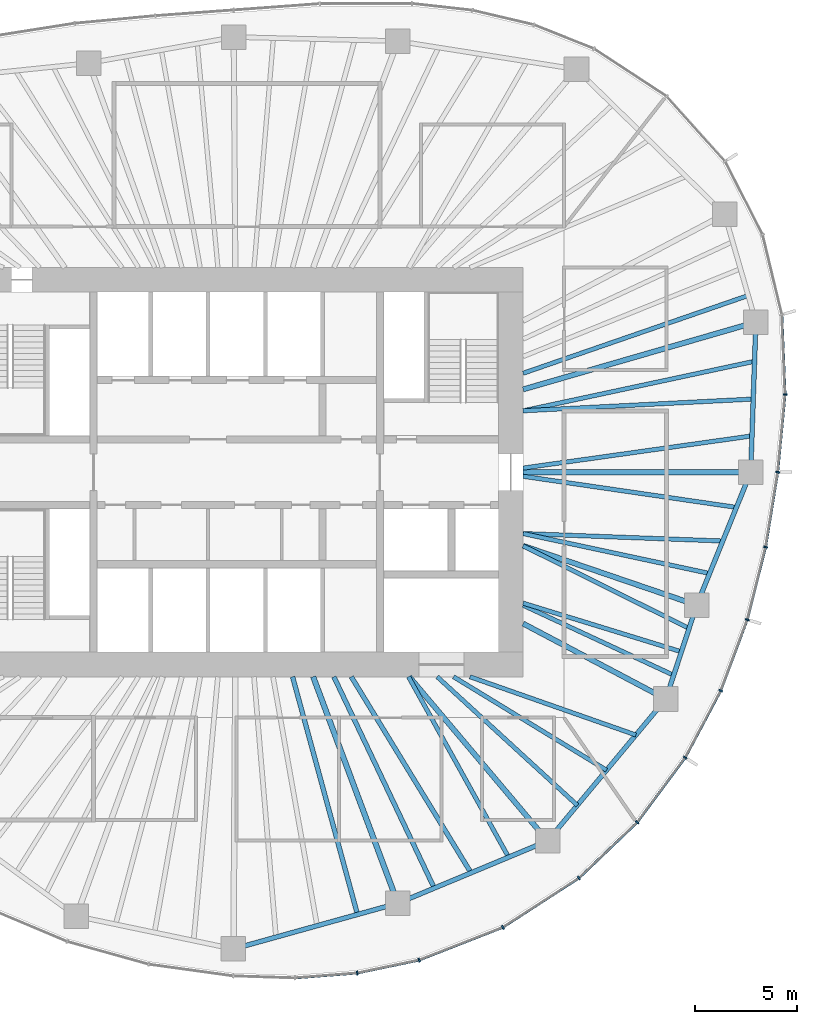
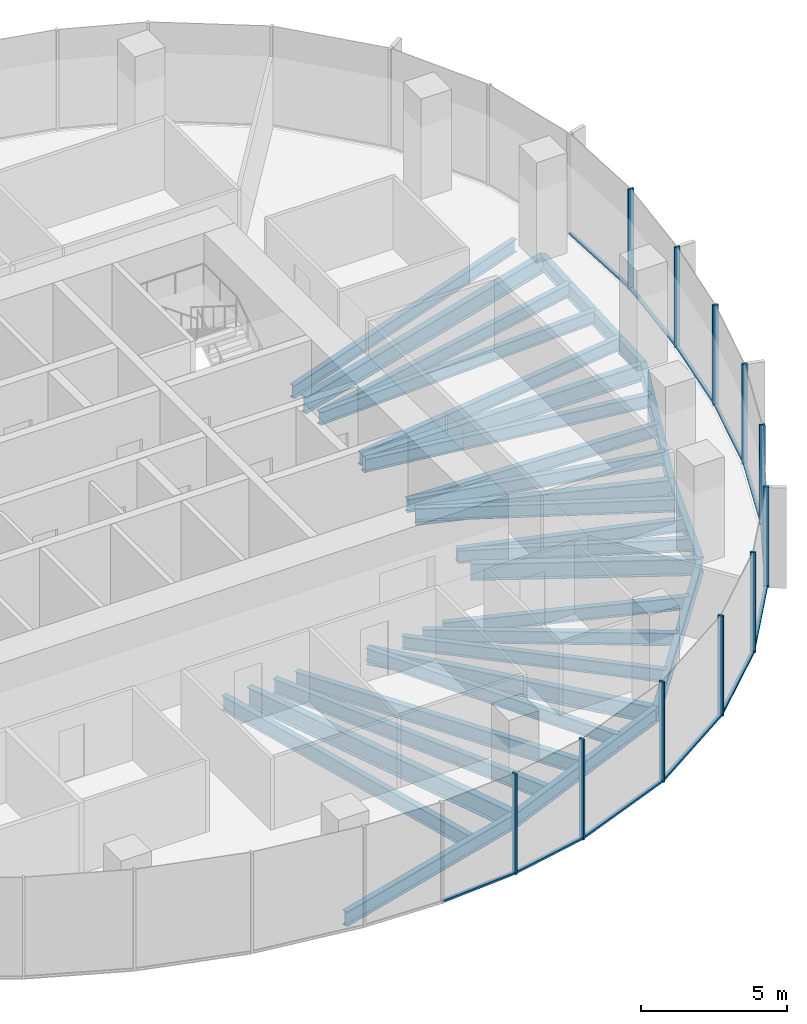
# One storey, part 4 of 11: 29 beams, 23 members, 6 elements without a shape of their own.
"""IFC4 building model written with IfcOpenShell, lengths in metres."""

from ifc_helpers import new_model, si_unit, direction, frame, origin, origin_2d, place, context, subcontext, project, spatial, rectangle, i_section, extrude, material, material_profile, profile_set, type_object, element, aggregate, save


model = new_model("IFC4")

# Units and contexts
model_context = context("Model", 3, precision=1e-05, world=origin(), true_north=direction((0.0, 1.0)))
body_context = subcontext(model_context, "Body", "Model", "MODEL_VIEW")
ifc_project = project(units=[si_unit("LENGTHUNIT", "METRE"), si_unit("AREAUNIT", "SQUARE_METRE"), si_unit("VOLUMEUNIT", "CUBIC_METRE"), si_unit("PLANEANGLEUNIT", "RADIAN"), si_unit("MASSUNIT", "GRAM", prefix="KILO")], contexts=[model_context])

# Site, building, storey
site_placement = place(None, origin())
site = spatial("IfcSite", under=ifc_project, at=site_placement, CompositionType="ELEMENT")
building_placement = place(site_placement, origin())
building = spatial("IfcBuilding", under=site, at=building_placement, Name="Ghaith Harvest Tower", CompositionType="ELEMENT")
storey_placement = place(building_placement, frame((0.0, 0.0, 257.800048828125)))
storey = spatial("IfcBuildingStorey", under=building, at=storey_placement, Name="L57", CompositionType="ELEMENT", Elevation=257.800048828125)

# Curtain wall, members
ifc_material_1 = material(Name="Black anodised aluminium and fritted glass", Category="aluminium")
curtain_wall_type = type_object("IfcCurtainWallType", Name="CW-H CURTAIN WALL", PredefinedType="NOTDEFINED", material=ifc_material_1)
curtain_wall_1_placement = place(storey_placement, origin())
curtain_wall_1 = element("IfcCurtainWall", 1, at=curtain_wall_1_placement, inside=storey, type_object=curtain_wall_type, Name="Curtain wall CW-H bay 01 L57", PredefinedType="NOTDEFINED")
ifc_material_2 = material(Name="Aluminium, black anodised", Category="aluminium")
ifc_material_profile_1 = material_profile(ifc_material_2, rectangle(XDim=0.080078125, YDim=0.199951171875, at=origin_2d()), Name="CW-H MULLION 80x200")
ifc_profile_set_1 = profile_set([ifc_material_profile_1], Name="Aluminium, black anodised")
member_type_1 = type_object("IfcMemberType", Name="CW-H MULLION 80x200", PredefinedType="MULLION", material=ifc_profile_set_1)
member_1_placement = place(storey_placement, frame((26.445068359375, 0.0, 0.0), z_axis=(0.0, 0.0, 1.0), x_axis=(0.126567624553, 0.991957981174, 0.0)))
member_1 = element("IfcMember", 2, at=member_1_placement, type_object=member_type_1, Name="CW-H mullion 1 bay 01 L57", PredefinedType="MULLION", context=body_context, shape_type="SweptSolid", body=[
    extrude(rectangle(XDim=0.080078125, YDim=0.199951171875, at=origin_2d()), origin(), (0.0, 0.0, 1.0), 4.199951171875),
])
member_2_placement = place(storey_placement, frame((26.804443359375, 3.7958984375, 0.0), z_axis=(0.0, 0.0, 1.0), x_axis=(0.026142797814, 0.999658218654, 0.0)))
member_2 = element("IfcMember", 3, at=member_2_placement, type_object=member_type_1, Name="CW-H mullion 2 bay 01 L57", PredefinedType="MULLION", context=body_context, shape_type="SweptSolid", body=[
    extrude(rectangle(XDim=0.080078125, YDim=0.199951171875, at=origin_2d()), origin(), (0.0, 0.0, 1.0), 4.199951171875),
])

# Curtain wall, member
curtain_wall_2_placement = place(storey_placement, origin())
curtain_wall_2 = element("IfcCurtainWall", 4, at=curtain_wall_2_placement, inside=storey, type_object=curtain_wall_type, Name="Curtain wall CW-H bay 16 L57", PredefinedType="NOTDEFINED")
member_3_placement = place(storey_placement, frame((5.893310546875, -24.48291015625, 0.0), z_axis=(0.0, 0.0, 1.0), x_axis=(0.989849191496, 0.142121701704, 0.0)))
member_3 = element("IfcMember", 5, at=member_3_placement, type_object=member_type_1, Name="CW-H mullion 3 bay 16 L57", PredefinedType="MULLION", context=body_context, shape_type="SweptSolid", body=[
    extrude(rectangle(XDim=0.080078125, YDim=0.199951171875, at=origin_2d()), origin(), (0.0, 0.0, 1.0), 4.199951171875),
])

# Curtain wall, members
curtain_wall_3_placement = place(storey_placement, origin())
curtain_wall_3 = element("IfcCurtainWall", 6, at=curtain_wall_3_placement, inside=storey, type_object=curtain_wall_type, Name="Curtain wall CW-H bay 17 L57", PredefinedType="NOTDEFINED")
member_4_placement = place(storey_placement, frame((8.916015625, -23.85009765625, 0.0), z_axis=(0.0, 0.0, 1.0), x_axis=(0.954029934434, 0.299711334793, 0.0)))
member_4 = element("IfcMember", 7, at=member_4_placement, type_object=member_type_1, Name="CW-H mullion 1 bay 17 L57", PredefinedType="MULLION", context=body_context, shape_type="SweptSolid", body=[
    extrude(rectangle(XDim=0.080078125, YDim=0.199951171875, at=origin_2d()), origin(), (0.0, 0.0, 1.0), 4.199951171875),
])
member_5_placement = place(storey_placement, frame((13.010009765625, -22.2470703125, 0.0), z_axis=(0.0, 0.0, 1.0), x_axis=(0.889568363425, 0.456802065225, 0.0)))
member_5 = element("IfcMember", 8, at=member_5_placement, type_object=member_type_1, Name="CW-H mullion 2 bay 17 L57", PredefinedType="MULLION", context=body_context, shape_type="SweptSolid", body=[
    extrude(rectangle(XDim=0.080078125, YDim=0.199951171875, at=origin_2d()), origin(), (0.0, 0.0, 1.0), 4.199951171875),
])

curtain_wall_4_placement = place(storey_placement, origin())
curtain_wall_4 = element("IfcCurtainWall", 9, at=curtain_wall_4_placement, inside=storey, type_object=curtain_wall_type, Name="Curtain wall CW-H bay 18 L57", PredefinedType="NOTDEFINED")
member_6_placement = place(storey_placement, frame((16.72900390625, -19.838134765625, 0.0), z_axis=(0.0, 0.0, 1.0), x_axis=(0.78784554071, 0.615872879727, 0.0)))
member_6 = element("IfcMember", 10, at=member_6_placement, type_object=member_type_1, Name="CW-H mullion 1 bay 18 L57", PredefinedType="MULLION", context=body_context, shape_type="SweptSolid", body=[
    extrude(rectangle(XDim=0.080078125, YDim=0.199951171875, at=origin_2d()), origin(), (0.0, 0.0, 1.0), 4.199951171875),
])
member_7_placement = place(storey_placement, frame((19.57421875, -17.11572265625, 0.0), z_axis=(0.0, 0.0, 1.0), x_axis=(0.661614965695, 0.749843741835, 0.0)))
member_7 = element("IfcMember", 11, at=member_7_placement, type_object=member_type_1, Name="CW-H mullion 2 bay 18 L57", PredefinedType="MULLION", context=body_context, shape_type="SweptSolid", body=[
    extrude(rectangle(XDim=0.080078125, YDim=0.199951171875, at=origin_2d()), origin(), (0.0, 0.0, 1.0), 4.199951171875),
])

curtain_wall_5_placement = place(storey_placement, origin())
curtain_wall_5 = element("IfcCurtainWall", 12, at=curtain_wall_5_placement, inside=storey, type_object=curtain_wall_type, Name="Curtain wall CW-H bay 19 L57", PredefinedType="NOTDEFINED")
member_8_placement = place(storey_placement, frame((21.922607421875, -13.951904296875, 0.0), z_axis=(0.0, 0.0, 1.0), x_axis=(0.535827198032, 0.844327669717, 0.0)))
member_8 = element("IfcMember", 13, at=member_8_placement, type_object=member_type_1, Name="CW-H mullion 1 bay 19 L57", PredefinedType="MULLION", context=body_context, shape_type="SweptSolid", body=[
    extrude(rectangle(XDim=0.080078125, YDim=0.199951171875, at=origin_2d()), origin(), (0.0, 0.0, 1.0), 4.199951171875),
])
member_9_placement = place(storey_placement, frame((23.658203125, -10.680419921875, 0.0), z_axis=(0.0, 0.0, 1.0), x_axis=(0.410429862351, 0.911892169114, 0.0)))
member_9 = element("IfcMember", 14, at=member_9_placement, type_object=member_type_1, Name="CW-H mullion 2 bay 19 L57", PredefinedType="MULLION", context=body_context, shape_type="SweptSolid", body=[
    extrude(rectangle(XDim=0.080078125, YDim=0.199951171875, at=origin_2d()), origin(), (0.0, 0.0, 1.0), 4.199951171875),
])

curtain_wall_6_placement = place(storey_placement, origin())
curtain_wall_6 = element("IfcCurtainWall", 15, at=curtain_wall_6_placement, inside=storey, type_object=curtain_wall_type, Name="Curtain wall CW-H bay 20 L57", PredefinedType="NOTDEFINED")
member_10_placement = place(storey_placement, frame((24.955810546875, -7.212890625, 0.0), z_axis=(0.0, 0.0, 1.0), x_axis=(0.298441625478, 0.954427889462, 0.0)))
member_10 = element("IfcMember", 16, at=member_10_placement, type_object=member_type_1, Name="CW-H mullion 1 bay 20 L57", PredefinedType="MULLION", context=body_context, shape_type="SweptSolid", body=[
    extrude(rectangle(XDim=0.080078125, YDim=0.199951171875, at=origin_2d()), origin(), (0.0, 0.0, 1.0), 4.199951171875),
])
member_11_placement = place(storey_placement, frame((25.85302734375, -3.6611328125, 0.0), z_axis=(0.0, 0.0, 1.0), x_axis=(0.202192370647, 0.979345825157, 0.0)))
member_11 = element("IfcMember", 17, at=member_11_placement, type_object=member_type_1, Name="CW-H mullion 2 bay 20 L57", PredefinedType="MULLION", context=body_context, shape_type="SweptSolid", body=[
    extrude(rectangle(XDim=0.080078125, YDim=0.199951171875, at=origin_2d()), origin(), (0.0, 0.0, 1.0), 4.199951171875),
])

# Member
ifc_material_3 = material(Name="Aluminium, black anodised", Category="aluminium")
ifc_material_profile_2 = material_profile(ifc_material_3, rectangle(XDim=0.1298828125, YDim=0.080078125, at=origin_2d()), Name="CW-H TRANSOM 130x80")
ifc_profile_set_2 = profile_set([ifc_material_profile_2], Name="Aluminium, black anodised")
member_type_2 = type_object("IfcMemberType", Name="CW-H TRANSOM 130x80", PredefinedType="USERDEFINED", material=ifc_profile_set_2)
member_12_placement = place(storey_placement, frame((26.44873046875, 0.039794921875, 0.0400390625), z_axis=(0.094309089207, 0.995542965267, 0.0), x_axis=(-0.995542965267, 0.094309089207, 0.0)))
member_12 = element("IfcMember", 18, at=member_12_placement, type_object=member_type_2, Name="CW-H transom 1 bay 01 L57", ObjectType="TRANSOM", PredefinedType="USERDEFINED", context=body_context, shape_type="SweptSolid", body=[
    extrude(rectangle(XDim=0.1298828125, YDim=0.080078125, at=origin_2d()), origin(), (0.0, 0.0, 1.0), 3.73291015625),
])

member_13_placement = place(storey_placement, frame((26.802978515625, 3.8359375, 0.0400390625), z_axis=(-0.040492641284, 0.999179836667, 0.0), x_axis=(-0.999179836667, -0.040492641284, 0.0)))
member_13 = element("IfcMember", 19, at=member_13_placement, type_object=member_type_2, Name="CW-H transom 2 bay 01 L57", ObjectType="TRANSOM", PredefinedType="USERDEFINED", context=body_context, shape_type="SweptSolid", body=[
    extrude(rectangle(XDim=0.1298828125, YDim=0.080078125, at=origin_2d()), origin(), (0.0, 0.0, 1.0), 3.82861328125),
])

aggregate(curtain_wall_1, [member_1, member_12, member_2, member_13])

member_14_placement = place(storey_placement, frame((2.8876953125, -24.71826171875, 0.0400390625), z_axis=(0.996949781933, 0.078045706505, 0.0), x_axis=(-0.078045706505, 0.996949781933, 0.0)))
member_14 = element("IfcMember", 20, at=member_14_placement, type_object=member_type_2, Name="CW-H transom 2 bay 16 L57", ObjectType="TRANSOM", PredefinedType="USERDEFINED", context=body_context, shape_type="SweptSolid", body=[
    extrude(rectangle(XDim=0.1298828125, YDim=0.080078125, at=origin_2d()), origin(), (0.0, 0.0, 1.0), 2.974853515625),
])

member_15_placement = place(storey_placement, frame((5.932373046875, -24.474609375, 0.0400390625), z_axis=(0.978797058213, 0.204832416461, 0.0), x_axis=(-0.204832416461, 0.978797058213, 0.0)))
member_15 = element("IfcMember", 21, at=member_15_placement, type_object=member_type_2, Name="CW-H transom 3 bay 16 L57", ObjectType="TRANSOM", PredefinedType="USERDEFINED", context=body_context, shape_type="SweptSolid", body=[
    extrude(rectangle(XDim=0.1298828125, YDim=0.080078125, at=origin_2d()), origin(), (0.0, 0.0, 1.0), 3.00830078125),
])

aggregate(curtain_wall_2, [member_14, member_3, member_15])

member_16_placement = place(storey_placement, frame((8.953369140625, -23.835693359375, 0.0400390625), z_axis=(0.931147615871, 0.364642451529, 0.0), x_axis=(-0.364642451529, 0.931147615871, 0.0)))
member_16 = element("IfcMember", 22, at=member_16_placement, type_object=member_type_2, Name="CW-H transom 1 bay 17 L57", ObjectType="TRANSOM", PredefinedType="USERDEFINED", context=body_context, shape_type="SweptSolid", body=[
    extrude(rectangle(XDim=0.1298828125, YDim=0.080078125, at=origin_2d()), origin(), (0.0, 0.0, 1.0), 4.31640625),
])

member_17_placement = place(storey_placement, frame((13.04345703125, -22.225341796875, 0.0400390625), z_axis=(0.839306610985, 0.543658360331, 0.0), x_axis=(-0.543658360331, 0.839306610985, 0.0)))
member_17 = element("IfcMember", 23, at=member_17_placement, type_object=member_type_2, Name="CW-H transom 2 bay 17 L57", ObjectType="TRANSOM", PredefinedType="USERDEFINED", context=body_context, shape_type="SweptSolid", body=[
    extrude(rectangle(XDim=0.1298828125, YDim=0.080078125, at=origin_2d()), origin(), (0.0, 0.0, 1.0), 4.35107421875),
])

aggregate(curtain_wall_3, [member_4, member_16, member_5, member_17])

member_18_placement = place(storey_placement, frame((16.7578125, -19.810546875, 0.0400390625), z_axis=(0.722533278657, 0.691336141998, 0.0), x_axis=(-0.691336141998, 0.722533278657, 0.0)))
member_18 = element("IfcMember", 24, at=member_18_placement, type_object=member_type_2, Name="CW-H transom 1 bay 18 L57", ObjectType="TRANSOM", PredefinedType="USERDEFINED", context=body_context, shape_type="SweptSolid", body=[
    extrude(rectangle(XDim=0.1298828125, YDim=0.080078125, at=origin_2d()), origin(), (0.0, 0.0, 1.0), 3.858154296875),
])

member_19_placement = place(storey_placement, frame((19.59814453125, -17.083740234375, 0.0400390625), z_axis=(0.595995597074, 0.802987701194, 0.0), x_axis=(-0.802987701194, 0.595995597074, 0.0)))
member_19 = element("IfcMember", 25, at=member_19_placement, type_object=member_type_2, Name="CW-H transom 2 bay 18 L57", ObjectType="TRANSOM", PredefinedType="USERDEFINED", context=body_context, shape_type="SweptSolid", body=[
    extrude(rectangle(XDim=0.1298828125, YDim=0.080078125, at=origin_2d()), origin(), (0.0, 0.0, 1.0), 3.8603515625),
])

aggregate(curtain_wall_4, [member_6, member_18, member_7, member_19])

member_20_placement = place(storey_placement, frame((21.94140625, -13.91650390625, 0.0400390625), z_axis=(0.468646057757, 0.883386026915, 0.0), x_axis=(-0.883386026915, 0.468646057757, 0.0)))
member_20 = element("IfcMember", 26, at=member_20_placement, type_object=member_type_2, Name="CW-H transom 1 bay 19 L57", ObjectType="TRANSOM", PredefinedType="USERDEFINED", context=body_context, shape_type="SweptSolid", body=[
    extrude(rectangle(XDim=0.1298828125, YDim=0.080078125, at=origin_2d()), origin(), (0.0, 0.0, 1.0), 3.623291015625),
])

member_21_placement = place(storey_placement, frame((23.672119140625, -10.64306640625, 0.0400390625), z_axis=(0.350510368091, 0.936558851253, 0.0), x_axis=(-0.936558851253, 0.350510368091, 0.0)))
member_21 = element("IfcMember", 27, at=member_21_placement, type_object=member_type_2, Name="CW-H transom 2 bay 19 L57", ObjectType="TRANSOM", PredefinedType="USERDEFINED", context=body_context, shape_type="SweptSolid", body=[
    extrude(rectangle(XDim=0.1298828125, YDim=0.080078125, at=origin_2d()), origin(), (0.0, 0.0, 1.0), 3.62255859375),
])

aggregate(curtain_wall_5, [member_8, member_20, member_9, member_21])

member_22_placement = place(storey_placement, frame((24.965576171875, -7.174072265625, 0.0400390625), z_axis=(0.244939588347, 0.969538342749, 0.0), x_axis=(-0.969538342749, 0.244939588347, 0.0)))
member_22 = element("IfcMember", 28, at=member_22_placement, type_object=member_type_2, Name="CW-H transom 1 bay 20 L57", ObjectType="TRANSOM", PredefinedType="USERDEFINED", context=body_context, shape_type="SweptSolid", body=[
    extrude(rectangle(XDim=0.1298828125, YDim=0.080078125, at=origin_2d()), origin(), (0.0, 0.0, 1.0), 3.583251953125),
])

member_23_placement = place(storey_placement, frame((25.859375, -3.62158203125, 0.0400390625), z_axis=(0.159661845696, 0.987171765717, 0.0), x_axis=(-0.987171765717, 0.159661845696, 0.0)))
member_23 = element("IfcMember", 29, at=member_23_placement, type_object=member_type_2, Name="CW-H transom 2 bay 20 L57", ObjectType="TRANSOM", PredefinedType="USERDEFINED", context=body_context, shape_type="SweptSolid", body=[
    extrude(rectangle(XDim=0.1298828125, YDim=0.080078125, at=origin_2d()), origin(), (0.0, 0.0, 1.0), 3.628662109375),
])

aggregate(curtain_wall_6, [member_10, member_22, member_11, member_23])

# Beams
ifc_material_4 = material(Name="Steel ASTM A992 Grade 50", Category="steel")
ifc_material_profile_3 = material_profile(ifc_material_4, i_section(OverallWidth=0.22900390625, OverallDepth=0.612060546875, WebThickness=0.011962890625, FlangeThickness=0.01953125, at=origin_2d()), Name="W610X125")
ifc_profile_set_3 = profile_set([ifc_material_profile_3], Name="Steel ASTM A992 Grade 50")
beam_type_1 = type_object("IfcBeamType", Name="E610-125 W610X125", PredefinedType="SPANDREL", material=ifc_profile_set_3)
beam_1_placement = place(storey_placement, frame((25.125, 0.0, -0.47607421875), z_axis=(0.03446227584, 0.999405999354, 0.0), x_axis=(-0.999405999354, 0.03446227584, 0.0)))
element("IfcBeam", 30, at=beam_1_placement, inside=storey, type_object=beam_type_1, Name="Edge beam E01 L57", PredefinedType="SPANDREL", context=body_context, shape_type="SweptSolid", body=[
    extrude(i_section(OverallWidth=0.22900390625, OverallDepth=0.612060546875, WebThickness=0.011962890625, FlangeThickness=0.01953125, at=origin_2d()), origin(), (0.0, 0.0, 1.0), 7.33935546875),
])
beam_2_placement = place(storey_placement, frame((-0.158935546875, -23.304931640625, -0.47607421875), z_axis=(0.963504070594, 0.267693679323, 0.0), x_axis=(-0.267693679323, 0.963504070594, 0.0)))
element("IfcBeam", 31, at=beam_2_placement, inside=storey, type_object=beam_type_1, Name="Edge beam E16 L57", PredefinedType="SPANDREL", context=body_context, shape_type="SweptSolid", body=[
    extrude(i_section(OverallWidth=0.22900390625, OverallDepth=0.612060546875, WebThickness=0.011962890625, FlangeThickness=0.01953125, at=origin_2d()), origin(), (0.0, 0.0, 1.0), 8.34130859375),
])
beam_3_placement = place(storey_placement, frame((7.8779296875, -21.072021484375, -0.47607421875), z_axis=(0.923119729219, 0.384512633766, 0.0), x_axis=(-0.384512633766, 0.923119729219, 0.0)))
element("IfcBeam", 32, at=beam_3_placement, inside=storey, type_object=beam_type_1, Name="Edge beam E17 L57", PredefinedType="SPANDREL", context=body_context, shape_type="SweptSolid", body=[
    extrude(i_section(OverallWidth=0.22900390625, OverallDepth=0.612060546875, WebThickness=0.011962890625, FlangeThickness=0.01953125, at=origin_2d()), origin(), (0.0, 0.0, 1.0), 7.9296875),
])
beam_4_placement = place(storey_placement, frame((15.197998046875, -18.02294921875, -0.47607421875), z_axis=(0.640173759088, 0.76823014662, 0.0), x_axis=(-0.76823014662, 0.640173759088, 0.0)))
element("IfcBeam", 33, at=beam_4_placement, inside=storey, type_object=beam_type_1, Name="Edge beam E18 L57", PredefinedType="SPANDREL", context=body_context, shape_type="SweptSolid", body=[
    extrude(i_section(OverallWidth=0.22900390625, OverallDepth=0.612060546875, WebThickness=0.011962890625, FlangeThickness=0.01953125, at=origin_2d()), origin(), (0.0, 0.0, 1.0), 9.02734375),
])
beam_5_placement = place(storey_placement, frame((20.97705078125, -11.087890625, -0.47607421875), z_axis=(0.312206727278, 0.950014189074, 0.0), x_axis=(-0.950014189074, 0.312206727278, 0.0)))
element("IfcBeam", 34, at=beam_5_placement, inside=storey, type_object=beam_type_1, Name="Edge beam E19 L57", PredefinedType="SPANDREL", context=body_context, shape_type="SweptSolid", body=[
    extrude(i_section(OverallWidth=0.22900390625, OverallDepth=0.612060546875, WebThickness=0.011962890625, FlangeThickness=0.01953125, at=origin_2d()), origin(), (0.0, 0.0, 1.0), 4.830322265625),
])
beam_6_placement = place(storey_placement, frame((22.485107421875, -6.4990234375, -0.47607421875), z_axis=(0.376335970246, 0.926483263475, 0.0), x_axis=(-0.926483263475, 0.376335970246, 0.0)))
element("IfcBeam", 35, at=beam_6_placement, inside=storey, type_object=beam_type_1, Name="Edge beam E20 L57", PredefinedType="SPANDREL", context=body_context, shape_type="SweptSolid", body=[
    extrude(i_section(OverallWidth=0.22900390625, OverallDepth=0.612060546875, WebThickness=0.011962890625, FlangeThickness=0.01953125, at=origin_2d()), origin(), (0.0, 0.0, 1.0), 7.0146484375),
])
ifc_material_5 = material(Name="Steel ASTM A992 Grade 50", Category="steel")
ifc_material_profile_4 = material_profile(ifc_material_5, i_section(OverallWidth=0.256103515625, OverallDepth=0.693115234375, WebThickness=0.014404296875, FlangeThickness=0.023681640625, at=origin_2d()), Name="W690X170")
ifc_profile_set_4 = profile_set([ifc_material_profile_4], Name="Steel ASTM A992 Grade 50")
beam_type_2 = type_object("IfcBeamType", Name="G690-170 W690X170", PredefinedType="BEAM", material=ifc_profile_set_4)
beam_7_placement = place(storey_placement, frame((14.0, 0.0, -0.5166015625), z_axis=(1.0, 0.0, 0.0), x_axis=(0.0, 1.0, 0.0)))
element("IfcBeam", 36, at=beam_7_placement, inside=storey, type_object=beam_type_2, Name="Radial girder G01 L57", PredefinedType="BEAM", context=body_context, shape_type="SweptSolid", body=[
    extrude(i_section(OverallWidth=0.256103515625, OverallDepth=0.693115234375, WebThickness=0.014404296875, FlangeThickness=0.023681640625, at=origin_2d()), origin(), (0.0, 0.0, 1.0), 11.125),
])
beam_8_placement = place(storey_placement, frame((14.0, 4.04638671875, -0.5166015625), z_axis=(0.960677776578, 0.277665643518, 0.0), x_axis=(-0.277665643518, 0.960677776578, 0.0)))
element("IfcBeam", 37, at=beam_8_placement, inside=storey, type_object=beam_type_2, Name="Radial girder G02 L57", PredefinedType="BEAM", context=body_context, shape_type="SweptSolid", body=[
    extrude(i_section(OverallWidth=0.256103515625, OverallDepth=0.693115234375, WebThickness=0.014404296875, FlangeThickness=0.023681640625, at=origin_2d()), origin(), (0.0, 0.0, 1.0), 11.84375),
])
beam_9_placement = place(storey_placement, frame((8.4326171875, -10.0, -0.5166015625), z_axis=(0.644649240595, -0.764478486682, 0.0), x_axis=(0.764478486682, 0.644649240595, 0.0)))
element("IfcBeam", 38, at=beam_9_placement, inside=storey, type_object=beam_type_2, Name="Radial girder G18 L57", PredefinedType="BEAM", context=body_context, shape_type="SweptSolid", body=[
    extrude(i_section(OverallWidth=0.256103515625, OverallDepth=0.693115234375, WebThickness=0.014404296875, FlangeThickness=0.023681640625, at=origin_2d()), origin(), (0.0, 0.0, 1.0), 10.49462890625),
])
beam_10_placement = place(storey_placement, frame((14.0, -7.39990234375, -0.5166015625), z_axis=(0.884088732293, -0.467319070264, 0.0), x_axis=(0.467319070264, 0.884088732293, 0.0)))
element("IfcBeam", 39, at=beam_10_placement, inside=storey, type_object=beam_type_2, Name="Radial girder G19 L57", PredefinedType="BEAM", context=body_context, shape_type="SweptSolid", body=[
    extrude(i_section(OverallWidth=0.256103515625, OverallDepth=0.693115234375, WebThickness=0.014404296875, FlangeThickness=0.023681640625, at=origin_2d()), origin(), (0.0, 0.0, 1.0), 7.891845703125),
])
beam_11_placement = place(storey_placement, frame((14.0, -3.60009765625, -0.5166015625), z_axis=(0.94629622913, -0.323300861018, 0.0), x_axis=(0.323300861018, 0.94629622913, 0.0)))
element("IfcBeam", 40, at=beam_11_placement, inside=storey, type_object=beam_type_2, Name="Radial girder G20 L57", PredefinedType="BEAM", context=body_context, shape_type="SweptSolid", body=[
    extrude(i_section(OverallWidth=0.256103515625, OverallDepth=0.693115234375, WebThickness=0.014404296875, FlangeThickness=0.023681640625, at=origin_2d()), origin(), (0.0, 0.0, 1.0), 8.966552734375),
])
ifc_material_6 = material(Name="Steel ASTM A992 Grade 50", Category="steel")
ifc_material_profile_5 = material_profile(ifc_material_6, i_section(OverallWidth=0.26806640625, OverallDepth=0.77001953125, WebThickness=0.015625, FlangeThickness=0.025390625, at=origin_2d()), Name="W760X196")
ifc_profile_set_5 = profile_set([ifc_material_profile_5], Name="Steel ASTM A992 Grade 50")
beam_type_3 = type_object("IfcBeamType", Name="G760-196 W760X196", PredefinedType="BEAM", material=ifc_profile_set_5)
beam_12_placement = place(storey_placement, frame((3.73828125, -10.0, -0.554931640625), z_axis=(0.350206582147, -0.936672488024, 0.0), x_axis=(0.936672488024, 0.350206582147, 0.0)))
element("IfcBeam", 41, at=beam_12_placement, inside=storey, type_object=beam_type_3, Name="Radial girder G17 L57", PredefinedType="BEAM", context=body_context, shape_type="SweptSolid", body=[
    extrude(i_section(OverallWidth=0.26806640625, OverallDepth=0.77001953125, WebThickness=0.015625, FlangeThickness=0.025390625, at=origin_2d()), origin(), (0.0, 0.0, 1.0), 11.820556640625),
])
ifc_material_7 = material(Name="Steel ASTM A992 Grade 50", Category="steel")
ifc_material_profile_6 = material_profile(ifc_material_7, i_section(OverallWidth=0.2109375, OverallDepth=0.5390625, WebThickness=0.01171875, FlangeThickness=0.018798828125, at=origin_2d()), Name="W530X109")
ifc_profile_set_6 = profile_set([ifc_material_profile_6], Name="Steel ASTM A992 Grade 50")
beam_type_4 = type_object("IfcBeamType", Name="J530-109 W530X109", PredefinedType="JOIST", material=ifc_profile_set_6)
beam_13_placement = place(storey_placement, frame((14.0, 0.199951171875, -0.439453125), z_axis=(0.990239574724, 0.139375696052, 0.0), x_axis=(-0.139375696052, 0.990239574724, 0.0)))
element("IfcBeam", 42, at=beam_13_placement, inside=storey, type_object=beam_type_4, Name="Joist J01.1 L57", PredefinedType="JOIST", context=body_context, shape_type="SweptSolid", body=[
    extrude(i_section(OverallWidth=0.2109375, OverallDepth=0.5390625, WebThickness=0.01171875, FlangeThickness=0.018798828125, at=origin_2d()), origin(), (0.0, 0.0, 1.0), 11.296630859375),
])
beam_14_placement = place(storey_placement, frame((14.0, 3.0, -0.439453125), z_axis=(0.998693995267, 0.051091132482, 0.0), x_axis=(-0.051091132482, 0.998693995267, 0.0)))
element("IfcBeam", 43, at=beam_14_placement, inside=storey, type_object=beam_type_4, Name="Joist J01.2 L57", PredefinedType="JOIST", context=body_context, shape_type="SweptSolid", body=[
    extrude(i_section(OverallWidth=0.2109375, OverallDepth=0.5390625, WebThickness=0.01171875, FlangeThickness=0.018798828125, at=origin_2d()), origin(), (0.0, 0.0, 1.0), 11.262939453125),
])
beam_15_placement = place(storey_placement, frame((14.0, 3.0, -0.439453125), z_axis=(0.977840076912, 0.209353251672, 0.0), x_axis=(-0.209353251672, 0.977840076912, 0.0)))
element("IfcBeam", 44, at=beam_15_placement, inside=storey, type_object=beam_type_4, Name="Joist J01.3 L57", PredefinedType="JOIST", context=body_context, shape_type="SweptSolid", body=[
    extrude(i_section(OverallWidth=0.2109375, OverallDepth=0.5390625, WebThickness=0.01171875, FlangeThickness=0.018798828125, at=origin_2d()), origin(), (0.0, 0.0, 1.0), 11.568359375),
])
beam_16_placement = place(storey_placement, frame((14.0, 4.835693359375, -0.439453125), z_axis=(0.945202328042, 0.326485159025, 0.0), x_axis=(-0.326485159025, 0.945202328042, 0.0)))
element("IfcBeam", 45, at=beam_16_placement, inside=storey, type_object=beam_type_4, Name="Joist J02.1 L57", PredefinedType="JOIST", context=body_context, shape_type="SweptSolid", body=[
    extrude(i_section(OverallWidth=0.2109375, OverallDepth=0.5390625, WebThickness=0.01171875, FlangeThickness=0.018798828125, at=origin_2d()), origin(), (0.0, 0.0, 1.0), 11.63916015625),
])
beam_17_placement = place(storey_placement, frame((8.39990234375, -10.0, -0.439453125), z_axis=(0.484919107871, -0.874559008199, 0.0), x_axis=(0.874559008199, 0.484919107871, 0.0)))
element("IfcBeam", 46, at=beam_17_placement, inside=storey, type_object=beam_type_4, Name="Joist J17.3 L57", PredefinedType="JOIST", context=body_context, shape_type="SweptSolid", body=[
    extrude(i_section(OverallWidth=0.2109375, OverallDepth=0.5390625, WebThickness=0.01171875, FlangeThickness=0.018798828125, at=origin_2d()), origin(), (0.0, 0.0, 1.0), 10.0830078125),
])
beam_18_placement = place(storey_placement, frame((9.800048828125, -10.0, -0.439453125), z_axis=(0.736998187228, -0.675894719629, 0.0), x_axis=(0.675894719629, 0.736998187228, 0.0)))
element("IfcBeam", 47, at=beam_18_placement, inside=storey, type_object=beam_type_4, Name="Joist J18.1 L57", PredefinedType="JOIST", context=body_context, shape_type="SweptSolid", body=[
    extrude(i_section(OverallWidth=0.2109375, OverallDepth=0.5390625, WebThickness=0.01171875, FlangeThickness=0.018798828125, at=origin_2d()), origin(), (0.0, 0.0, 1.0), 9.293701171875),
])
beam_19_placement = place(storey_placement, frame((14.0, -3.0, -0.439453125), z_axis=(0.977841497168, -0.209346617877, 0.0), x_axis=(0.209346617877, 0.977841497168, 0.0)))
element("IfcBeam", 48, at=beam_19_placement, inside=storey, type_object=beam_type_4, Name="Joist J20.1 L57", PredefinedType="JOIST", context=body_context, shape_type="SweptSolid", body=[
    extrude(i_section(OverallWidth=0.2109375, OverallDepth=0.5390625, WebThickness=0.01171875, FlangeThickness=0.018798828125, at=origin_2d()), origin(), (0.0, 0.0, 1.0), 9.3203125),
])
beam_20_placement = place(storey_placement, frame((14.0, -3.0, -0.439453125), z_axis=(0.999303105315, -0.037326983644, 0.0), x_axis=(0.037326983644, 0.999303105315, 0.0)))
element("IfcBeam", 49, at=beam_20_placement, inside=storey, type_object=beam_type_4, Name="Joist J20.2 L57", PredefinedType="JOIST", context=body_context, shape_type="SweptSolid", body=[
    extrude(i_section(OverallWidth=0.2109375, OverallDepth=0.5390625, WebThickness=0.01171875, FlangeThickness=0.018798828125, at=origin_2d()), origin(), (0.0, 0.0, 1.0), 9.76513671875),
])
beam_21_placement = place(storey_placement, frame((14.0, -0.199951171875, -0.439453125), z_axis=(0.989525259022, -0.144359834294, 0.0), x_axis=(0.144359834294, 0.989525259022, 0.0)))
element("IfcBeam", 50, at=beam_21_placement, inside=storey, type_object=beam_type_4, Name="Joist J20.3 L57", PredefinedType="JOIST", context=body_context, shape_type="SweptSolid", body=[
    extrude(i_section(OverallWidth=0.2109375, OverallDepth=0.5390625, WebThickness=0.01171875, FlangeThickness=0.018798828125, at=origin_2d()), origin(), (0.0, 0.0, 1.0), 10.5361328125),
])
ifc_material_8 = material(Name="Steel ASTM A992 Grade 50", Category="steel")
ifc_material_profile_7 = material_profile(ifc_material_8, i_section(OverallWidth=0.208984375, OverallDepth=0.532958984375, WebThickness=0.01025390625, FlangeThickness=0.015625, at=origin_2d()), Name="W530X92")
ifc_profile_set_7 = profile_set([ifc_material_profile_7], Name="Steel ASTM A992 Grade 50")
beam_type_5 = type_object("IfcBeamType", Name="J530-92 W530X92", PredefinedType="JOIST", material=ifc_profile_set_7)
beam_22_placement = place(storey_placement, frame((10.60009765625, -10.0, -0.4365234375), z_axis=(0.853467052113, -0.521146803654, 0.0), x_axis=(0.521146803654, 0.853467052113, 0.0)))
element("IfcBeam", 51, at=beam_22_placement, inside=storey, type_object=beam_type_5, Name="Joist J18.2 L57", PredefinedType="JOIST", context=body_context, shape_type="SweptSolid", body=[
    extrude(i_section(OverallWidth=0.208984375, OverallDepth=0.532958984375, WebThickness=0.01025390625, FlangeThickness=0.015625, at=origin_2d()), origin(), (0.0, 0.0, 1.0), 8.76220703125),
])
beam_23_placement = place(storey_placement, frame((11.39990234375, -10.0, -0.4365234375), z_axis=(0.943605274188, -0.331072630285, 0.0), x_axis=(0.331072630285, 0.943605274188, 0.0)))
element("IfcBeam", 52, at=beam_23_placement, inside=storey, type_object=beam_type_5, Name="Joist J18.3 L57", PredefinedType="JOIST", context=body_context, shape_type="SweptSolid", body=[
    extrude(i_section(OverallWidth=0.208984375, OverallDepth=0.532958984375, WebThickness=0.01025390625, FlangeThickness=0.015625, at=origin_2d()), origin(), (0.0, 0.0, 1.0), 8.596923828125),
])
beam_24_placement = place(storey_placement, frame((14.0, -6.506103515625, -0.4365234375), z_axis=(0.906865270415, -0.421420670251, 0.0), x_axis=(0.421420670251, 0.906865270415, 0.0)))
element("IfcBeam", 53, at=beam_24_placement, inside=storey, type_object=beam_type_5, Name="Joist J19.1 L57", PredefinedType="JOIST", context=body_context, shape_type="SweptSolid", body=[
    extrude(i_section(OverallWidth=0.208984375, OverallDepth=0.532958984375, WebThickness=0.01025390625, FlangeThickness=0.015625, at=origin_2d()), origin(), (0.0, 0.0, 1.0), 8.11474609375),
])
beam_25_placement = place(storey_placement, frame((14.0, -6.39990234375, -0.4365234375), z_axis=(0.955870927609, -0.293786946192, 0.0), x_axis=(0.293786946192, 0.955870927609, 0.0)))
element("IfcBeam", 54, at=beam_25_placement, inside=storey, type_object=beam_type_5, Name="Joist J19.2 L57", PredefinedType="JOIST", context=body_context, shape_type="SweptSolid", body=[
    extrude(i_section(OverallWidth=0.208984375, OverallDepth=0.532958984375, WebThickness=0.01025390625, FlangeThickness=0.015625, at=origin_2d()), origin(), (0.0, 0.0, 1.0), 8.09326171875),
])
beam_26_placement = place(storey_placement, frame((14.0, -3.60009765625, -0.4365234375), z_axis=(0.89523949078, -0.445585293909, 0.0), x_axis=(0.445585293909, 0.89523949078, 0.0)))
element("IfcBeam", 55, at=beam_26_placement, inside=storey, type_object=beam_type_5, Name="Joist J19.3 L57", PredefinedType="JOIST", context=body_context, shape_type="SweptSolid", body=[
    extrude(i_section(OverallWidth=0.208984375, OverallDepth=0.532958984375, WebThickness=0.01025390625, FlangeThickness=0.015625, at=origin_2d()), origin(), (0.0, 0.0, 1.0), 9.060302734375),
])
ifc_material_9 = material(Name="Steel ASTM A992 Grade 50", Category="steel")
ifc_material_profile_8 = material_profile(ifc_material_9, i_section(OverallWidth=0.22900390625, OverallDepth=0.612060546875, WebThickness=0.011962890625, FlangeThickness=0.01953125, at=origin_2d()), Name="W610X125")
ifc_profile_set_8 = profile_set([ifc_material_profile_8], Name="Steel ASTM A992 Grade 50")
beam_type_6 = type_object("IfcBeamType", Name="J610-125 W610X125", PredefinedType="JOIST", material=ifc_profile_set_8)
beam_27_placement = place(storey_placement, frame((2.73095703125, -10.0, -0.47607421875), z_axis=(0.263456947705, -0.964671154698, 0.0), x_axis=(0.964671154698, 0.263456947705, 0.0)))
element("IfcBeam", 56, at=beam_27_placement, inside=storey, type_object=beam_type_6, Name="Joist J16.3 L57", PredefinedType="JOIST", context=body_context, shape_type="SweptSolid", body=[
    extrude(i_section(OverallWidth=0.22900390625, OverallDepth=0.612060546875, WebThickness=0.011962890625, FlangeThickness=0.01953125, at=origin_2d()), origin(), (0.0, 0.0, 1.0), 12.0458984375),
])
beam_28_placement = place(storey_placement, frame((4.75, -10.0, -0.47607421875), z_axis=(0.429080762264, -0.90326612881, 0.0), x_axis=(0.90326612881, 0.429080762264, 0.0)))
element("IfcBeam", 57, at=beam_28_placement, inside=storey, type_object=beam_type_6, Name="Joist J17.1 L57", PredefinedType="JOIST", context=body_context, shape_type="SweptSolid", body=[
    extrude(i_section(OverallWidth=0.22900390625, OverallDepth=0.612060546875, WebThickness=0.011962890625, FlangeThickness=0.01953125, at=origin_2d()), origin(), (0.0, 0.0, 1.0), 11.437255859375),
])
beam_29_placement = place(storey_placement, frame((5.60009765625, -10.0, -0.47607421875), z_axis=(0.521165912119, -0.853455383746, 0.0), x_axis=(0.853455383746, 0.521165912119, 0.0)))
element("IfcBeam", 58, at=beam_29_placement, inside=storey, type_object=beam_type_6, Name="Joist J17.2 L57", PredefinedType="JOIST", context=body_context, shape_type="SweptSolid", body=[
    extrude(i_section(OverallWidth=0.22900390625, OverallDepth=0.612060546875, WebThickness=0.011962890625, FlangeThickness=0.01953125, at=origin_2d()), origin(), (0.0, 0.0, 1.0), 11.228759765625),
])

save(model, "model.ifc")
